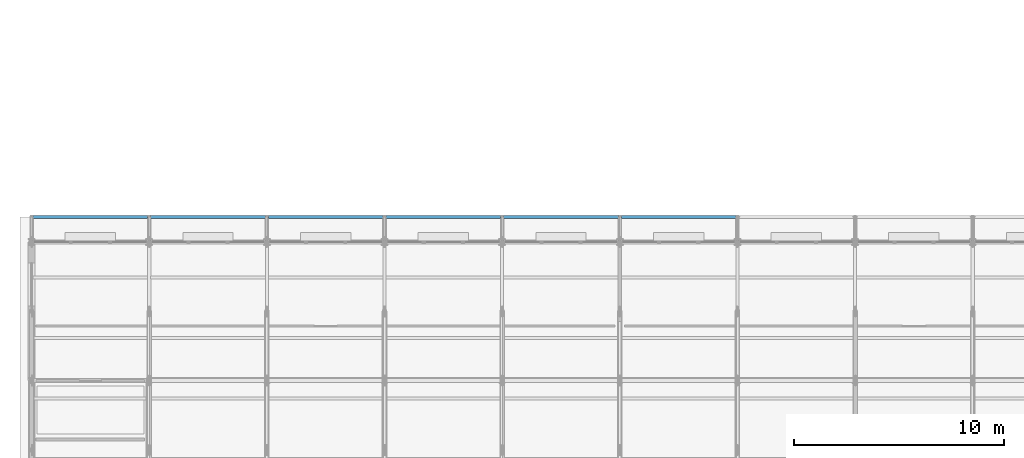
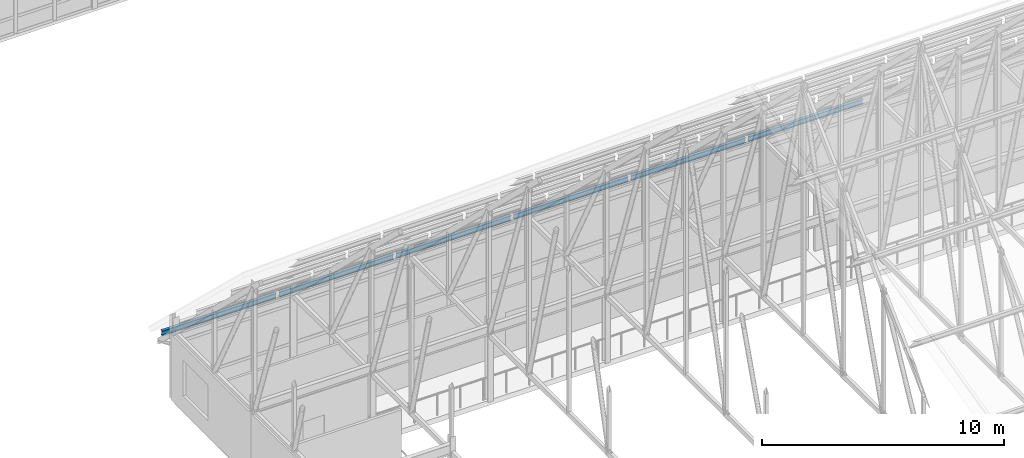
# One storey, part 59 of 144: 6 members.
"""IFC4 building model written with IfcOpenShell, lengths in metres."""

from ifc_helpers import new_model, si_unit, direction, frame, origin, origin_2d, place, context, subcontext, project, spatial, i_section, extrude, material, material_profile, profile_set, type_object, element, save


model = new_model("IFC4")

# Units and contexts
model_context = context("Model", 3, precision=1e-05, world=origin(), true_north=direction((0.0, 1.0)))
body_context = subcontext(model_context, "Body", "Model", "MODEL_VIEW")
ifc_project = project(units=[si_unit("LENGTHUNIT", "METRE"), si_unit("AREAUNIT", "SQUARE_METRE"), si_unit("VOLUMEUNIT", "CUBIC_METRE"), si_unit("PLANEANGLEUNIT", "RADIAN"), si_unit("MASSUNIT", "GRAM", prefix="KILO")], contexts=[model_context])

# Site, building, storey
site_placement = place(None, origin())
site = spatial("IfcSite", under=ifc_project, at=site_placement, CompositionType="ELEMENT")
building_placement = place(site_placement, origin())
building = spatial("IfcBuilding", under=site, at=building_placement, Name="Trelmorton Wharf Fire Station", CompositionType="ELEMENT")
storey_placement = place(building_placement, frame((0.0, 0.0, 5.39990234375)))
storey = spatial("IfcBuildingStorey", under=building, at=storey_placement, Name="L01", CompositionType="ELEMENT", Elevation=5.39990234375)

# Members
ifc_material = material(Name="Steel Grade 300 (300 MPa)", Category="steel")
ifc_material_profile = material_profile(ifc_material, i_section(OverallWidth=0.14599609375, OverallDepth=0.256103515625, WebThickness=0.00634765625, FlangeThickness=0.010986328125, FilletRadius=0.0087890625, at=origin_2d()), Name="250UB37.3")
ifc_profile_set = profile_set([ifc_material_profile], Name="Steel Grade 300 (300 MPa)")
member_type = type_object("IfcMemberType", Name="PR_250UB37", PredefinedType="PURLIN", material=ifc_profile_set)
member_1_placement = place(storey_placement, frame((0.8720703125, 35.39990234375, 2.566162109375), z_axis=(1.0, 0.0, 0.0), x_axis=(0.0, 1.0, 0.0)))
element("IfcMember", 1, at=member_1_placement, inside=storey, type_object=member_type, Name="V1-PR-B01-N5", PredefinedType="PURLIN", context=body_context, shape_type="SweptSolid", body=[
    extrude(i_section(OverallWidth=0.14599609375, OverallDepth=0.256103515625, WebThickness=0.00634765625, FlangeThickness=0.010986328125, FilletRadius=0.0087890625, at=origin_2d()), origin(), (0.0, 0.0, 1.0), 5.455810546875),
])
for number, where, z_axis, x_axis, name in (
    (2, (6.471923828125, 35.39990234375, 2.566162109375), (1.0, 0.0, 0.0), (0.0, 1.0, 0.0), "V1-PR-B02-N5"),
    (3, (12.072021484375, 35.39990234375, 2.566162109375), (1.0, 0.0, 0.0), (0.0, 1.0, 0.0), "V1-PR-B03-N5"),
):
    element("IfcMember", number, at=place(storey_placement, frame(where, z_axis=z_axis, x_axis=x_axis)), inside=storey, type_object=member_type, Name=name, PredefinedType="PURLIN", context=body_context, shape_type="SweptSolid", body=[
        extrude(i_section(OverallWidth=0.14599609375, OverallDepth=0.256103515625, WebThickness=0.00634765625, FlangeThickness=0.010986328125, FilletRadius=0.0087890625, at=origin_2d()), origin(), (0.0, 0.0, 1.0), 5.4560546875),
    ])
member_2_placement = place(storey_placement, frame((17.672119140625, 35.39990234375, 2.566162109375), z_axis=(1.0, 0.0, 0.0), x_axis=(0.0, 1.0, 0.0)))
element("IfcMember", 4, at=member_2_placement, inside=storey, type_object=member_type, Name="V1-PR-B04-N5", PredefinedType="PURLIN", context=body_context, shape_type="SweptSolid", body=[
    extrude(i_section(OverallWidth=0.14599609375, OverallDepth=0.256103515625, WebThickness=0.00634765625, FlangeThickness=0.010986328125, FilletRadius=0.0087890625, at=origin_2d()), origin(), (0.0, 0.0, 1.0), 5.455810546875),
])
member_3_placement = place(storey_placement, frame((23.27197265625, 35.39990234375, 2.566162109375), z_axis=(1.0, 0.0, 0.0), x_axis=(0.0, 1.0, 0.0)))
element("IfcMember", 5, at=member_3_placement, inside=storey, type_object=member_type, Name="V1-PR-B05-N5", PredefinedType="PURLIN", context=body_context, shape_type="SweptSolid", body=[
    extrude(i_section(OverallWidth=0.14599609375, OverallDepth=0.256103515625, WebThickness=0.00634765625, FlangeThickness=0.010986328125, FilletRadius=0.0087890625, at=origin_2d()), origin(), (0.0, 0.0, 1.0), 5.4560546875),
])
member_4_placement = place(storey_placement, frame((28.8720703125, 35.39990234375, 2.566162109375), z_axis=(1.0, 0.0, 0.0), x_axis=(0.0, 1.0, 0.0)))
element("IfcMember", 6, at=member_4_placement, inside=storey, type_object=member_type, Name="V1-PR-B06-N5", PredefinedType="PURLIN", context=body_context, shape_type="SweptSolid", body=[
    extrude(i_section(OverallWidth=0.14599609375, OverallDepth=0.256103515625, WebThickness=0.00634765625, FlangeThickness=0.010986328125, FilletRadius=0.0087890625, at=origin_2d()), origin(), (0.0, 0.0, 1.0), 5.455810546875),
])

save(model, "model.ifc")
